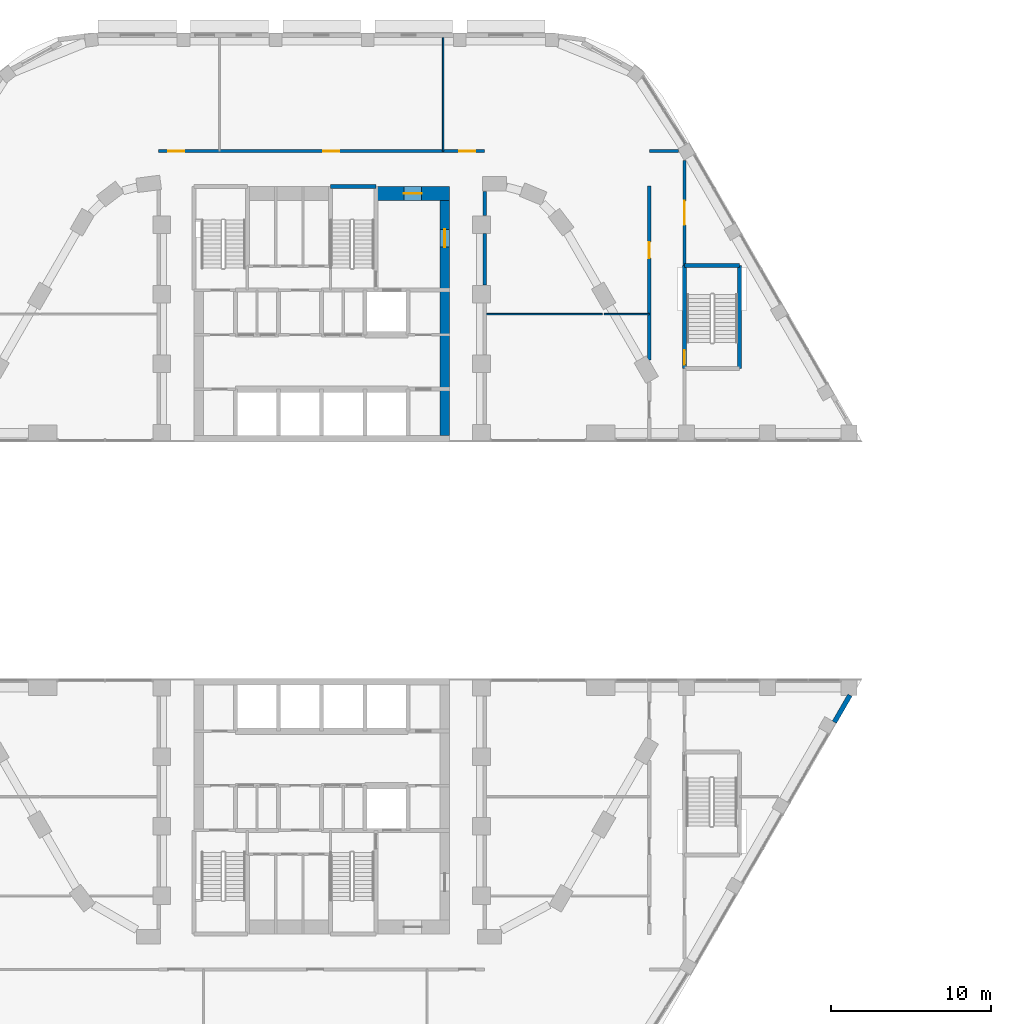
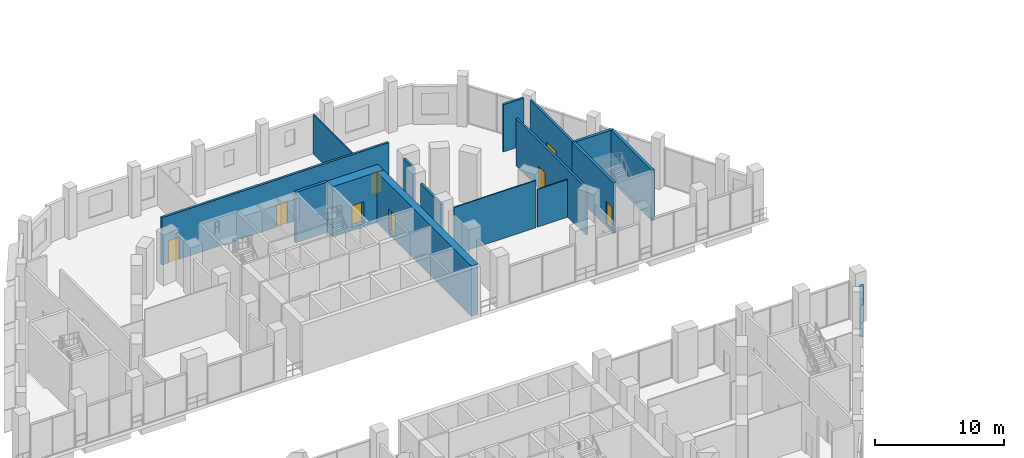
# One storey, part 20 of 45: 16 walls, 8 doors, 8 openings.
"""IFC4 building model written with IfcOpenShell, lengths in metres."""

import ifcopenshell
import ifcopenshell.guid

model = None  # the IFC model being written
_history = None  # IfcOwnerHistory: only IFC2X3 demands one
_inside = {}  # id of a spatial element -> (the spatial element, [elements in it])
_under = {}  # id of a project, library or spatial element -> (it, [spatial elements below it])
_declared = {}  # id of a project -> (the project, [libraries it declares])
_typed = {}  # id of a type object -> (the type object, [elements of that type])
_made_of = {}  # id of a material, layer set ... -> (it, [elements and type objects made of it])


def new_model(schema):
    """Start an empty IFC model of exactly this schema.

    Asked for "IFC4X3", IfcOpenShell would pick the latest addendum, in which some entities
    have other attributes; the version numbers below select the first issue.
    IFC2X3 requires an IfcOwnerHistory on every rooted entity: one is made here for all.
    """
    global model, _history
    if schema == "IFC4X3":
        model = ifcopenshell.file(schema_version=(4, 3, 0, 0))
    else:
        model = ifcopenshell.file(schema=schema)
    _inside.clear()
    _under.clear()
    _declared.clear()
    _typed.clear()
    _made_of.clear()
    _history = None
    if model.schema == "IFC2X3":
        org = make("IfcOrganization", Name="unknown")
        user = make(
            "IfcPersonAndOrganization",
            ThePerson=make("IfcPerson", FamilyName="unknown"),
            TheOrganization=org,
        )
        app = make(
            "IfcApplication",
            ApplicationDeveloper=org,
            Version="unknown",
            ApplicationFullName="unknown",
            ApplicationIdentifier="unknown",
        )
        _history = make(
            "IfcOwnerHistory",
            OwningUser=user,
            OwningApplication=app,
            ChangeAction="ADDED",
            CreationDate=0,
        )
    return model


def make(cls, **values):
    """One entity of the class cls with the attributes given. An attribute that is None is left unset."""
    return model.create_entity(
        cls, **{name: value for name, value in values.items() if value is not None}
    )


def rooted(cls, **values):
    """An entity with a GlobalId (a new one), such as an element, a storey or a relation."""
    return make(cls, GlobalId=ifcopenshell.guid.new(), OwnerHistory=_history, **values)


def si_unit(unit_type, name, prefix=None):
    """IfcSIUnit, for example si_unit("LENGTHUNIT", "METRE", prefix="MILLI")."""
    return make("IfcSIUnit", UnitType=unit_type, Prefix=prefix, Name=name)


def assignment(units):
    """IfcUnitAssignment: the units of a project."""
    return None if units is None else make("IfcUnitAssignment", Units=units)


def point(xyz):
    """IfcCartesianPoint."""
    return None if xyz is None else make("IfcCartesianPoint", Coordinates=xyz)


def direction(xyz):
    """IfcDirection."""
    return None if xyz is None else make("IfcDirection", DirectionRatios=xyz)


def frame(location, z_axis=None, x_axis=None):
    """IfcAxis2Placement3D, a coordinate frame: its origin and axes. An axis left out is left unset."""
    return make(
        "IfcAxis2Placement3D",
        Location=point(location),
        Axis=direction(z_axis),
        RefDirection=direction(x_axis),
    )


def frame_2d(location, x_axis=None):
    """IfcAxis2Placement2D, a coordinate frame in the plane: its origin and x axis."""
    return make(
        "IfcAxis2Placement2D", Location=point(location), RefDirection=direction(x_axis)
    )


def origin():
    """The frame at (0, 0, 0) with its axes left unset."""
    return frame((0.0, 0.0, 0.0))


def place(relative_to, where):
    """IfcLocalPlacement: puts the frame where relative to a parent placement (None: the world)."""
    return make(
        "IfcLocalPlacement", PlacementRelTo=relative_to, RelativePlacement=where
    )


def context(
    kind, dimensions, precision=None, world=None, true_north=None, identifier=None
):
    """IfcGeometricRepresentationContext, for example the 3D "Model" context."""
    return make(
        "IfcGeometricRepresentationContext",
        ContextIdentifier=identifier,
        ContextType=kind,
        CoordinateSpaceDimension=dimensions,
        Precision=precision,
        WorldCoordinateSystem=world,
        TrueNorth=true_north,
    )


def subcontext(parent, identifier, kind, view, scale=None):
    """IfcGeometricRepresentationSubContext, for example "Body" below "Model"."""
    return make(
        "IfcGeometricRepresentationSubContext",
        ContextIdentifier=identifier,
        ContextType=kind,
        ParentContext=parent,
        TargetScale=scale,
        TargetView=view,
    )


def project(units=None, contexts=None):
    """IfcProject with its units and contexts."""
    return rooted(
        "IfcProject",
        Name="project",
        RepresentationContexts=contexts,
        UnitsInContext=assignment(units),
    )


def spatial(cls, under=None, at=None, **own):
    """A site, building, storey or space (cls), placed at a placement, below another one or the project."""
    s = rooted(cls, ObjectPlacement=at, **own)
    if under is not None:
        _under.setdefault(under.id(), (under, []))[1].append(s)
    return s


def profile(cls, at=None, kind="AREA", **sizes):
    """A parametric profile (cls). Its sizes go by their IFC names, for example OverallWidth=200.0."""
    return make(cls, ProfileType=kind, Position=at, **sizes)


def rectangle(**sizes):
    """IfcRectangleProfileDef."""
    return profile("IfcRectangleProfileDef", **sizes)


def extrude(swept, where, along, depth):
    """IfcExtrudedAreaSolid: the profile swept, set in the frame where, extruded along a direction by depth."""
    return make(
        "IfcExtrudedAreaSolid",
        SweptArea=swept,
        Position=where,
        ExtrudedDirection=direction(along),
        Depth=depth,
    )


def shape(context_of_items, identifier, shape_type, items):
    """IfcShapeRepresentation: the items that make up one representation, for example the "Body"."""
    return make(
        "IfcShapeRepresentation",
        ContextOfItems=context_of_items,
        RepresentationIdentifier=identifier,
        RepresentationType=shape_type,
        Items=items,
    )


def material(Name=None, Category=None):
    """IfcMaterial."""
    return make("IfcMaterial", Name=Name, Category=Category)


def layer(
    of_material, thickness, ventilated=None, Name=None, Category=None, Priority=None
):
    """IfcMaterialLayer: one layer of a wall or slab, of a material (None: an air gap)."""
    return make(
        "IfcMaterialLayer",
        Material=of_material,
        LayerThickness=thickness,
        IsVentilated=ventilated,
        Name=Name,
        Category=Category,
        Priority=Priority,
    )


def layer_set(layers, Name=None):
    """IfcMaterialLayerSet."""
    return make("IfcMaterialLayerSet", MaterialLayers=layers, LayerSetName=Name)


def made_of(thing, what):
    """Note that an element or type object is made of a material, layer set ...; save() writes the relation."""
    if what is not None:
        _made_of.setdefault(what.id(), (what, []))[1].append(thing)
    return thing


def type_object(cls, material=None, **own):
    """A type object (cls), such as IfcWallType, which elements share."""
    return made_of(rooted(cls, **own), material)


def element(
    cls,
    number,
    at=None,
    inside=None,
    cuts=None,
    type_object=None,
    material=None,
    context=None,
    identifier="Body",
    shape_type=None,
    held_by="IfcProductDefinitionShape",
    body=None,
    shapes=None,
    **own,
):
    """One element of the class cls, such as IfcWall. Its Tag is "e" and its number.

    at: its placement. inside: the storey or other place that contains it. cuts: it is an
    opening in that element (IfcRelVoidsElement). A single representation is given by context,
    identifier, shape_type and body (its items); several are given by shapes. held_by: the class
    of the entity that holds the representations. save() writes the other relations.
    """
    e = rooted(cls, Tag="e%d" % number, ObjectPlacement=at, **own)
    if body is not None:
        shapes = [shape(context, identifier, shape_type, body)]
    if shapes is not None:
        e.Representation = make(held_by, Representations=shapes)
    if inside is not None:
        _inside.setdefault(inside.id(), (inside, []))[1].append(e)
    if cuts is not None:
        rooted(
            "IfcRelVoidsElement", RelatingBuildingElement=cuts, RelatedOpeningElement=e
        )
    if type_object is not None:
        _typed.setdefault(type_object.id(), (type_object, []))[1].append(e)
    return made_of(e, material)


def fill(opening, filler):
    """IfcRelFillsElement: the door or window that sits in an opening."""
    return rooted(
        "IfcRelFillsElement",
        RelatingOpeningElement=opening,
        RelatedBuildingElement=filler,
    )


def aggregate(whole, parts):
    """IfcRelAggregates: a whole, such as a stair, and the parts it consists of."""
    return rooted("IfcRelAggregates", RelatingObject=whole, RelatedObjects=parts)


def save(model, path):
    """Write the relations noted so far, then the file.

    IfcRelAggregates (storeys below a building ...), IfcRelContainedInSpatialStructure (elements
    in a storey), IfcRelDefinesByType, IfcRelAssociatesMaterial and IfcRelDeclares: one each for
    every whole, place, type object, material and project.
    """
    for whole, parts in _under.values():
        aggregate(whole, parts)
    for where, things in _inside.values():
        rooted(
            "IfcRelContainedInSpatialStructure",
            RelatedElements=things,
            RelatingStructure=where,
        )
    for kind, things in _typed.values():
        rooted("IfcRelDefinesByType", RelatedObjects=things, RelatingType=kind)
    for what, things in _made_of.values():
        rooted("IfcRelAssociatesMaterial", RelatedObjects=things, RelatingMaterial=what)
    for by, libraries in _declared.values():
        rooted("IfcRelDeclares", RelatingContext=by, RelatedDefinitions=libraries)
    model.write(path)


model = new_model("IFC4")

# Units and contexts
model_context = context("Model", 3, precision=1e-05, world=origin(), true_north=direction((0.0, 1.0)))
body_context = subcontext(model_context, "Body", "Model", "MODEL_VIEW")
ifc_project = project(units=[si_unit("LENGTHUNIT", "METRE"), si_unit("AREAUNIT", "SQUARE_METRE"), si_unit("VOLUMEUNIT", "CUBIC_METRE"), si_unit("PLANEANGLEUNIT", "RADIAN"), si_unit("MASSUNIT", "GRAM", prefix="KILO")], contexts=[model_context])

# Site, building, storey
site_placement = place(None, origin())
site = spatial("IfcSite", under=ifc_project, at=site_placement, CompositionType="ELEMENT")
building_placement = place(site_placement, origin())
building = spatial("IfcBuilding", under=site, at=building_placement, Name="Nakaniwa Court", CompositionType="ELEMENT")
storey_placement = place(building_placement, frame((0.0, 0.0, 6.60009765625)))
storey = spatial("IfcBuildingStorey", under=building, at=storey_placement, Name="L01", CompositionType="ELEMENT", Elevation=6.60009765625)

# Wall, opening, door
ifc_material_1 = material(Name="Acoustic double stud partition")
ifc_layer_1 = layer(ifc_material_1, 0.199951171875)
ifc_layer_set_1 = layer_set([ifc_layer_1], Name="Acoustic double stud partition")
wall_type_1 = type_object("IfcWallType", Name="Acoustic double stud partition 200", PredefinedType="PARTITIONING", material=ifc_layer_set_1)
wall_1_placement = place(storey_placement, frame((102.699951171875, 105.024658203125, 0.0), z_axis=(0.0, 0.0, 1.0), x_axis=(0.0, -1.0, 0.0)))
wall_1 = element("IfcWall", 1, at=wall_1_placement, inside=storey, type_object=wall_type_1, Name="Partition PW-086", PredefinedType="PARTITIONING", context=body_context, shape_type="SweptSolid", body=[
    extrude(rectangle(XDim=6.57763671875, YDim=0.199951171875, at=frame_2d((3.288818359375, 0.0))), origin(), (0.0, 0.0, 1.0), 4.5),
])
opening_1_placement = place(wall_1_placement, frame((2.5390625, 0.0, 0.0)))
opening_1 = element("IfcOpeningElement", 2, at=opening_1_placement, cuts=wall_1, Name="Opening D-12-01", PredefinedType="OPENING", context=body_context, shape_type="SweptSolid", body=[
    extrude(rectangle(XDim=1.5, YDim=2.10009765625, at=frame_2d((0.75, 1.050048828125))), frame((0.0, 0.10986328125, 0.0), z_axis=(0.0, -1.0, 0.0), x_axis=(1.0, 0.0, 0.0)), (0.0, 0.0, 1.0), 0.219970703125),
])
ifc_material_2 = material(Name="Glazed timber double door set", Category="wood")
door_type_1 = type_object("IfcDoorType", Name="Double door 1500", OperationType="NOTDEFINED", PredefinedType="DOOR", material=ifc_material_2)
door_1_placement = place(opening_1_placement, origin())
door_1 = element("IfcDoor", 3, at=door_1_placement, inside=storey, type_object=door_type_1, Name="Door D-12-01 L01-034", OperationType="DOUBLE_DOOR_SINGLE_SWING", OverallHeight=2.10009765625, OverallWidth=1.5, PredefinedType="DOOR", context=body_context, shape_type="SweptSolid", body=[
    extrude(rectangle(XDim=1.5, YDim=2.10009765625, at=frame_2d((0.75, 1.050048828125))), frame((0.0, 0.02490234375, 0.0), z_axis=(0.0, -1.0, 0.0), x_axis=(1.0, 0.0, 0.0)), (0.0, 0.0, 1.0), 0.050048828125),
])
fill(opening_1, door_1)

wall_2_placement = place(storey_placement, frame((100.5, 92.52978515625, 0.0), z_axis=(0.0, 0.0, 1.0), x_axis=(0.0, 1.0, 0.0)))
wall_2 = element("IfcWall", 4, at=wall_2_placement, inside=storey, type_object=wall_type_1, Name="Partition PW-090", PredefinedType="PARTITIONING", context=body_context, shape_type="SweptSolid", body=[
    extrude(rectangle(XDim=10.873291015625, YDim=0.199951171875, at=frame_2d((5.4365234375, 0.0))), origin(), (0.0, 0.0, 1.0), 4.5),
])
opening_2_placement = place(wall_2_placement, frame((6.3701171875, 0.0, 0.0)))
opening_2 = element("IfcOpeningElement", 5, at=opening_2_placement, cuts=wall_2, Name="Opening D-02-03", PredefinedType="OPENING", context=body_context, shape_type="SweptSolid", body=[
    extrude(rectangle(XDim=1.0, YDim=2.10009765625, at=frame_2d((0.5, 1.050048828125))), frame((0.0, 0.10986328125, 0.0), z_axis=(0.0, -1.0, 0.0), x_axis=(1.0, 0.0, 0.0)), (0.0, 0.0, 1.0), 0.219970703125),
])
ifc_material_3 = material(Name="Solid core timber door set, black veneer", Category="wood")
door_type_2 = type_object("IfcDoorType", Name="Internal door 1000", OperationType="NOTDEFINED", PredefinedType="DOOR", material=ifc_material_3)
door_2_placement = place(opening_2_placement, origin())
door_2 = element("IfcDoor", 6, at=door_2_placement, inside=storey, type_object=door_type_2, Name="Door D-02-03 L01-036", OperationType="SINGLE_SWING_LEFT", OverallHeight=2.10009765625, OverallWidth=1.0, PredefinedType="DOOR", context=body_context, shape_type="SweptSolid", body=[
    extrude(rectangle(XDim=1.0, YDim=2.10009765625, at=frame_2d((0.5, 1.050048828125))), frame((0.0, 0.02490234375, 0.0), z_axis=(0.0, -1.0, 0.0), x_axis=(1.0, 0.0, 0.0)), (0.0, 0.0, 1.0), 0.050048828125),
])
fill(opening_2, door_2)

# Wall, openings, doors
wall_3_placement = place(storey_placement, frame((69.800048828125, 105.60009765625, 0.0), z_axis=(0.0, 0.0, 1.0), x_axis=(1.0, 0.0, 0.0)))
wall_3 = element("IfcWall", 7, at=wall_3_placement, inside=storey, type_object=wall_type_1, Name="Partition PW-092", PredefinedType="PARTITIONING", context=body_context, shape_type="SweptSolid", body=[
    extrude(rectangle(XDim=20.39990234375, YDim=0.199951171875, at=frame_2d((10.199951171875, 0.0))), origin(), (0.0, 0.0, 1.0), 4.5),
])
opening_3_placement = place(wall_3_placement, frame((0.60205078125, 0.0, 0.0)))
opening_3 = element("IfcOpeningElement", 8, at=opening_3_placement, cuts=wall_3, Name="Opening D-02-06", PredefinedType="OPENING", context=body_context, shape_type="SweptSolid", body=[
    extrude(rectangle(XDim=1.0, YDim=2.10009765625, at=frame_2d((0.5, 1.050048828125))), frame((0.0, 0.10986328125, 0.0), z_axis=(0.0, -1.0, 0.0), x_axis=(1.0, 0.0, 0.0)), (0.0, 0.0, 1.0), 0.219970703125),
])
opening_4_placement = place(wall_3_placement, frame((18.800048828125, 0.0, 0.0)))
opening_4 = element("IfcOpeningElement", 9, at=opening_4_placement, cuts=wall_3, Name="Opening D-02-07", PredefinedType="OPENING", context=body_context, shape_type="SweptSolid", body=[
    extrude(rectangle(XDim=1.0, YDim=2.10009765625, at=frame_2d((0.5, 1.050048828125))), frame((0.0, 0.10986328125, 0.0), z_axis=(0.0, -1.0, 0.0), x_axis=(1.0, 0.0, 0.0)), (0.0, 0.0, 1.0), 0.219970703125),
])
opening_5_placement = place(wall_3_placement, frame((10.300048828125, 0.0, 0.0)))
opening_5 = element("IfcOpeningElement", 10, at=opening_5_placement, cuts=wall_3, Name="Opening D-02-08", PredefinedType="OPENING", context=body_context, shape_type="SweptSolid", body=[
    extrude(rectangle(XDim=1.0, YDim=2.10009765625, at=frame_2d((0.5, 1.050048828125))), frame((0.0, 0.10986328125, 0.0), z_axis=(0.0, -1.0, 0.0), x_axis=(1.0, 0.0, 0.0)), (0.0, 0.0, 1.0), 0.219970703125),
])
door_3_placement = place(opening_3_placement, origin())
door_3 = element("IfcDoor", 11, at=door_3_placement, inside=storey, type_object=door_type_2, Name="Door D-02-06 L01-039", OperationType="SINGLE_SWING_RIGHT", OverallHeight=2.10009765625, OverallWidth=1.0, PredefinedType="DOOR", context=body_context, shape_type="SweptSolid", body=[
    extrude(rectangle(XDim=1.0, YDim=2.10009765625, at=frame_2d((0.5, 1.050048828125))), frame((0.0, 0.02490234375, 0.0), z_axis=(0.0, -1.0, 0.0), x_axis=(1.0, 0.0, 0.0)), (0.0, 0.0, 1.0), 0.050048828125),
])
fill(opening_3, door_3)
door_4_placement = place(opening_4_placement, origin())
door_4 = element("IfcDoor", 12, at=door_4_placement, inside=storey, type_object=door_type_2, Name="Door D-02-07 L01-040", OperationType="SINGLE_SWING_LEFT", OverallHeight=2.10009765625, OverallWidth=1.0, PredefinedType="DOOR", context=body_context, shape_type="SweptSolid", body=[
    extrude(rectangle(XDim=1.0, YDim=2.10009765625, at=frame_2d((0.5, 1.050048828125))), frame((0.0, 0.02490234375, 0.0), z_axis=(0.0, -1.0, 0.0), x_axis=(1.0, 0.0, 0.0)), (0.0, 0.0, 1.0), 0.050048828125),
])
fill(opening_4, door_4)
door_5_placement = place(opening_5_placement, origin())
door_5 = element("IfcDoor", 13, at=door_5_placement, inside=storey, type_object=door_type_2, Name="Door D-02-08 L01-041", OperationType="SINGLE_SWING_RIGHT", OverallHeight=2.10009765625, OverallWidth=1.0, PredefinedType="DOOR", context=body_context, shape_type="SweptSolid", body=[
    extrude(rectangle(XDim=1.0, YDim=2.10009765625, at=frame_2d((0.5, 1.050048828125))), frame((0.0, 0.02490234375, 0.0), z_axis=(0.0, -1.0, 0.0), x_axis=(1.0, 0.0, 0.0)), (0.0, 0.0, 1.0), 0.050048828125),
])
fill(opening_5, door_5)

# Walls
wall_4_placement = place(storey_placement, frame((100.5, 105.60009765625, 0.0), z_axis=(0.0, 0.0, 1.0), x_axis=(1.0, 0.0, 0.0)))
element("IfcWall", 14, at=wall_4_placement, inside=storey, type_object=wall_type_1, Name="Partition PW-093", PredefinedType="PARTITIONING", context=body_context, shape_type="SweptSolid", body=[
    extrude(rectangle(XDim=1.823486328125, YDim=0.199951171875, at=frame_2d((0.91162109375, 0.0))), origin(), (0.0, 0.0, 1.0), 4.5),
])
wall_5_placement = place(storey_placement, frame((90.199951171875, 97.217041015625, 0.0), z_axis=(0.0, 0.0, 1.0), x_axis=(0.0, 1.0, 0.0)))
element("IfcWall", 15, at=wall_5_placement, inside=storey, type_object=wall_type_1, Name="Partition PW-110", PredefinedType="PARTITIONING", context=body_context, shape_type="SweptSolid", body=[
    extrude(rectangle(XDim=3.216064453125, YDim=0.199951171875, at=frame_2d((1.60791015625, 0.0))), origin(), (0.0, 0.0, 1.0), 3.72998046875),
])
wall_6_placement = place(storey_placement, frame((90.199951171875, 101.56689453125, 0.0), z_axis=(0.0, 0.0, 1.0), x_axis=(0.0, 1.0, 0.0)))
element("IfcWall", 16, at=wall_6_placement, inside=storey, type_object=wall_type_1, Name="Partition PW-111", PredefinedType="PARTITIONING", context=body_context, shape_type="SweptSolid", body=[
    extrude(rectangle(XDim=1.51611328125, YDim=0.199951171875, at=frame_2d((0.758056640625, 0.0))), origin(), (0.0, 0.0, 1.0), 4.5),
])
ifc_material_4 = material(Name="Charcoal ceramic cladding")
ifc_layer_2 = layer(ifc_material_4, 0.02, Name="Ceramic cladding")
ifc_material_5 = material(Name="Ventilated air cavity")
ifc_layer_3 = layer(ifc_material_5, 0.04, ventilated=True, Name="Ventilated cavity")
ifc_material_6 = material(Name="Mineral wool insulation")
ifc_layer_4 = layer(ifc_material_6, 0.1, Name="Insulation")
ifc_material_7 = material(Name="Cement bonded sheathing board")
ifc_layer_5 = layer(ifc_material_7, 0.012, Name="Sheathing")
ifc_material_8 = material(Name="Cold-formed galvanised stud frame with mineral wool infill")
ifc_layer_6 = layer(ifc_material_8, 0.1, Name="Stud frame")
ifc_material_9 = material(Name="Fire-rated gypsum plasterboard lining")
ifc_layer_7 = layer(ifc_material_9, 0.028, Name="Lining")
ifc_layer_set_2 = layer_set([ifc_layer_2, ifc_layer_3, ifc_layer_4, ifc_layer_5, ifc_layer_6, ifc_layer_7], Name="Charcoal ceramic faced external wall system")
wall_type_2 = type_object("IfcWallType", Name="Black ceramic faced external wall 300", PredefinedType="SOLIDWALL", material=ifc_layer_set_2)
wall_7_placement = place(storey_placement, frame((112.082275390625, 69.8681640625, 0.0), z_axis=(0.0, 0.0, 1.0), x_axis=(0.500051850797, 0.865995465643, 0.0)))
element("IfcWall", 17, at=wall_7_placement, inside=storey, type_object=wall_type_2, Name="L01 external wall 03", PredefinedType="SOLIDWALL", context=body_context, shape_type="SweptSolid", body=[
    extrude(rectangle(XDim=1.946044921875, YDim=0.300048828125, at=frame_2d((0.97314453125, 0.0))), origin(), (0.0, 0.0, 1.0), 3.599853515625),
])

# Wall, opening, door
ifc_material_10 = material(Name="Concrete C100/115", Category="concrete")
ifc_layer_8 = layer(ifc_material_10, 0.60009765625)
ifc_layer_set_3 = layer_set([ifc_layer_8], Name="Concrete C100/115")
wall_type_3 = type_object("IfcWallType", Name="Concrete core side wall 600 C100", PredefinedType="SHEAR", material=ifc_layer_set_3)
wall_8_placement = place(storey_placement, frame((87.699951171875, 103.39990234375, -0.300048828125), z_axis=(0.0, 0.0, 1.0), x_axis=(0.0, -1.0, 0.0)))
wall_8 = element("IfcWall", 18, at=wall_8_placement, inside=storey, type_object=wall_type_3, Name="Core wall SW-15", PredefinedType="SHEAR", context=body_context, shape_type="SweptSolid", body=[
    extrude(rectangle(XDim=15.599853515625, YDim=0.60009765625, at=frame_2d((7.7998046875, 0.0))), origin(), (0.0, 0.0, 1.0), 4.800048828125),
])
opening_6_placement = place(wall_8_placement, frame((2.699951171875, 0.0, 0.300048828125)))
opening_6 = element("IfcOpeningElement", 19, at=opening_6_placement, cuts=wall_8, Name="Opening D-10-01", PredefinedType="OPENING", context=body_context, shape_type="SweptSolid", body=[
    extrude(rectangle(XDim=1.10009765625, YDim=2.10009765625, at=frame_2d((0.550048828125, 1.050048828125))), frame((0.0, 0.31005859375, 0.0), z_axis=(0.0, -1.0, 0.0), x_axis=(1.0, 0.0, 0.0)), (0.0, 0.0, 1.0), 0.6201171875),
])
ifc_material_11 = material(Name="Fire rated steel door set", Category="steel")
door_type_3 = type_object("IfcDoorType", Name="Firefighting lobby door 1100", OperationType="NOTDEFINED", PredefinedType="DOOR", material=ifc_material_11)
door_6_placement = place(opening_6_placement, origin())
door_6 = element("IfcDoor", 20, at=door_6_placement, inside=storey, type_object=door_type_3, Name="Door D-10-01 L01-057", OperationType="SINGLE_SWING_RIGHT", OverallHeight=2.10009765625, OverallWidth=1.10009765625, PredefinedType="DOOR", context=body_context, shape_type="SweptSolid", body=[
    extrude(rectangle(XDim=1.10009765625, YDim=2.10009765625, at=frame_2d((0.550048828125, 1.050048828125))), frame((0.0, 0.02490234375, 0.0), z_axis=(0.0, -1.0, 0.0), x_axis=(1.0, 0.0, 0.0)), (0.0, 0.0, 1.0), 0.050048828125),
])
fill(opening_6, door_6)

# Wall
ifc_layer_9 = layer(ifc_material_10, 0.25)
ifc_layer_set_4 = layer_set([ifc_layer_9], Name="Concrete C100/115")
wall_type_4 = type_object("IfcWallType", Name="Concrete core wall 250 C100", PredefinedType="SHEAR", material=ifc_layer_set_4)
wall_9_placement = place(storey_placement, frame((80.550048828125, 103.39990234375, -0.300048828125), z_axis=(0.0, 0.0, 1.0), x_axis=(1.0, 0.0, 0.0)))
element("IfcWall", 21, at=wall_9_placement, inside=storey, type_object=wall_type_4, Name="Core wall SW-32", PredefinedType="SHEAR", context=body_context, shape_type="SweptSolid", body=[
    extrude(rectangle(XDim=2.849853515625, YDim=0.25, at=frame_2d((1.4248046875, 0.0))), origin(), (0.0, 0.0, 1.0), 4.800048828125),
])

# Wall, opening, door
wall_10_placement = place(storey_placement, frame((102.699951171875, 91.9970703125, -0.300048828125), z_axis=(0.0, 0.0, 1.0), x_axis=(0.0, 1.0, 0.0)))
wall_10 = element("IfcWall", 22, at=wall_10_placement, inside=storey, type_object=wall_type_4, Name="Core wall SW-82", PredefinedType="SHEAR", context=body_context, shape_type="SweptSolid", body=[
    extrude(rectangle(XDim=6.455810546875, YDim=0.25, at=frame_2d((3.22802734375, 0.0))), origin(), (0.0, 0.0, 1.0), 4.800048828125),
])
opening_7_placement = place(wall_10_placement, frame((0.25, 0.0, 0.300048828125)))
opening_7 = element("IfcOpeningElement", 23, at=opening_7_placement, cuts=wall_10, Name="Opening D-11-03", PredefinedType="OPENING", context=body_context, shape_type="SweptSolid", body=[
    extrude(rectangle(XDim=0.89990234375, YDim=2.10009765625, at=frame_2d((0.449951171875, 1.050048828125))), frame((0.0, 0.135009765625, 0.0), z_axis=(0.0, -1.0, 0.0), x_axis=(1.0, 0.0, 0.0)), (0.0, 0.0, 1.0), 0.27001953125),
])
door_type_4 = type_object("IfcDoorType", Name="Stair door 900", OperationType="NOTDEFINED", PredefinedType="DOOR", material=ifc_material_11)
door_7_placement = place(opening_7_placement, origin())
door_7 = element("IfcDoor", 24, at=door_7_placement, inside=storey, type_object=door_type_4, Name="Door D-11-03 L01-031", OperationType="SINGLE_SWING_LEFT", OverallHeight=2.10009765625, OverallWidth=0.89990234375, PredefinedType="DOOR", context=body_context, shape_type="SweptSolid", body=[
    extrude(rectangle(XDim=0.89990234375, YDim=2.10009765625, at=frame_2d((0.449951171875, 1.050048828125))), frame((0.0, 0.02490234375, 0.0), z_axis=(0.0, -1.0, 0.0), x_axis=(1.0, 0.0, 0.0)), (0.0, 0.0, 1.0), 0.050048828125),
])
fill(opening_7, door_7)

# Walls
wall_11_placement = place(storey_placement, frame((106.14990234375, 92.0, -0.300048828125), z_axis=(0.0, 0.0, 1.0), x_axis=(0.0, 1.0, 0.0)))
element("IfcWall", 25, at=wall_11_placement, inside=storey, type_object=wall_type_4, Name="Core wall SW-121", PredefinedType="SHEAR", context=body_context, shape_type="SweptSolid", body=[
    extrude(rectangle(XDim=6.449951171875, YDim=0.25, at=frame_2d((3.22509765625, 0.0))), origin(), (0.0, 0.0, 1.0), 4.800048828125),
])
wall_12_placement = place(storey_placement, frame((102.699951171875, 98.449951171875, -0.300048828125), z_axis=(0.0, 0.0, 1.0), x_axis=(1.0, 0.0, 0.0)))
element("IfcWall", 26, at=wall_12_placement, inside=storey, type_object=wall_type_4, Name="Core wall SW-123", PredefinedType="SHEAR", context=body_context, shape_type="SweptSolid", body=[
    extrude(rectangle(XDim=3.449951171875, YDim=0.25, at=frame_2d((1.72509765625, 0.0))), origin(), (0.0, 0.0, 1.0), 4.800048828125),
])

# Wall, opening, door
ifc_layer_10 = layer(ifc_material_10, 0.89990234375)
ifc_layer_set_5 = layer_set([ifc_layer_10], Name="Concrete C100/115")
wall_type_5 = type_object("IfcWallType", Name="Concrete core wall 900 C100", PredefinedType="SHEAR", material=ifc_layer_set_5)
wall_13_placement = place(storey_placement, frame((83.39990234375, 102.949951171875, -0.300048828125), z_axis=(0.0, 0.0, 1.0), x_axis=(1.0, 0.0, 0.0)))
wall_13 = element("IfcWall", 27, at=wall_13_placement, inside=storey, type_object=wall_type_5, Name="Core wall SW-37", PredefinedType="SHEAR", context=body_context, shape_type="SweptSolid", body=[
    extrude(rectangle(XDim=4.60009765625, YDim=0.89990234375, at=frame_2d((2.300048828125, 0.0))), origin(), (0.0, 0.0, 1.0), 4.800048828125),
])
opening_8_placement = place(wall_13_placement, frame((1.748046875, 0.0, 0.300048828125)))
opening_8 = element("IfcOpeningElement", 28, at=opening_8_placement, cuts=wall_13, Name="Opening D-10-02", PredefinedType="OPENING", context=body_context, shape_type="SweptSolid", body=[
    extrude(rectangle(XDim=1.10009765625, YDim=2.10009765625, at=frame_2d((0.550048828125, 1.050048828125))), frame((0.0, 0.4599609375, 0.0), z_axis=(0.0, -1.0, 0.0), x_axis=(1.0, 0.0, 0.0)), (0.0, 0.0, 1.0), 0.919921875),
])
door_8_placement = place(opening_8_placement, origin())
door_8 = element("IfcDoor", 29, at=door_8_placement, inside=storey, type_object=door_type_3, Name="Door D-10-02 L01-058", OperationType="SINGLE_SWING_LEFT", OverallHeight=2.10009765625, OverallWidth=1.10009765625, PredefinedType="DOOR", context=body_context, shape_type="SweptSolid", body=[
    extrude(rectangle(XDim=1.10009765625, YDim=2.10009765625, at=frame_2d((0.550048828125, 1.050048828125))), frame((0.0, 0.02490234375, 0.0), z_axis=(0.0, -1.0, 0.0), x_axis=(1.0, 0.0, 0.0)), (0.0, 0.0, 1.0), 0.050048828125),
])
fill(opening_8, door_8)

# Walls
ifc_material_12 = material(Name="Single stud plasterboard partition")
ifc_layer_11 = layer(ifc_material_12, 0.10009765625)
ifc_layer_set_6 = layer_set([ifc_layer_11], Name="Single stud plasterboard partition")
wall_type_6 = type_object("IfcWallType", Name="Single stud plasterboard partition 100", PredefinedType="PARTITIONING", material=ifc_layer_set_6)
wall_14_placement = place(storey_placement, frame((90.199951171875, 95.39990234375, 0.0), z_axis=(0.0, 0.0, 1.0), x_axis=(1.0, 0.0, 0.0)))
element("IfcWall", 30, at=wall_14_placement, inside=storey, type_object=wall_type_6, Name="Partition PW-130", PredefinedType="PARTITIONING", context=body_context, shape_type="SweptSolid", body=[
    extrude(rectangle(XDim=7.366455078125, YDim=0.10009765625, at=frame_2d((3.68310546875, 0.0))), origin(), (0.0, 0.0, 1.0), 4.5),
])
wall_15_placement = place(storey_placement, frame((97.680419921875, 95.39990234375, 0.0), z_axis=(0.0, 0.0, 1.0), x_axis=(1.0, 0.0, 0.0)))
element("IfcWall", 31, at=wall_15_placement, inside=storey, type_object=wall_type_6, Name="Partition PW-131", PredefinedType="PARTITIONING", context=body_context, shape_type="SweptSolid", body=[
    extrude(rectangle(XDim=2.819580078125, YDim=0.10009765625, at=frame_2d((1.40966796875, 0.0))), origin(), (0.0, 0.0, 1.0), 3.579833984375),
])
wall_16_placement = place(storey_placement, frame((87.60009765625, 105.60009765625, 0.0), z_axis=(0.0, 0.0, 1.0), x_axis=(0.0, 1.0, 0.0)))
element("IfcWall", 32, at=wall_16_placement, inside=storey, type_object=wall_type_6, Name="Partition PW-133", PredefinedType="PARTITIONING", context=body_context, shape_type="SweptSolid", body=[
    extrude(rectangle(XDim=7.099853515625, YDim=0.10009765625, at=frame_2d((3.5498046875, 0.0))), origin(), (0.0, 0.0, 1.0), 3.72998046875),
])

save(model, "model.ifc")
